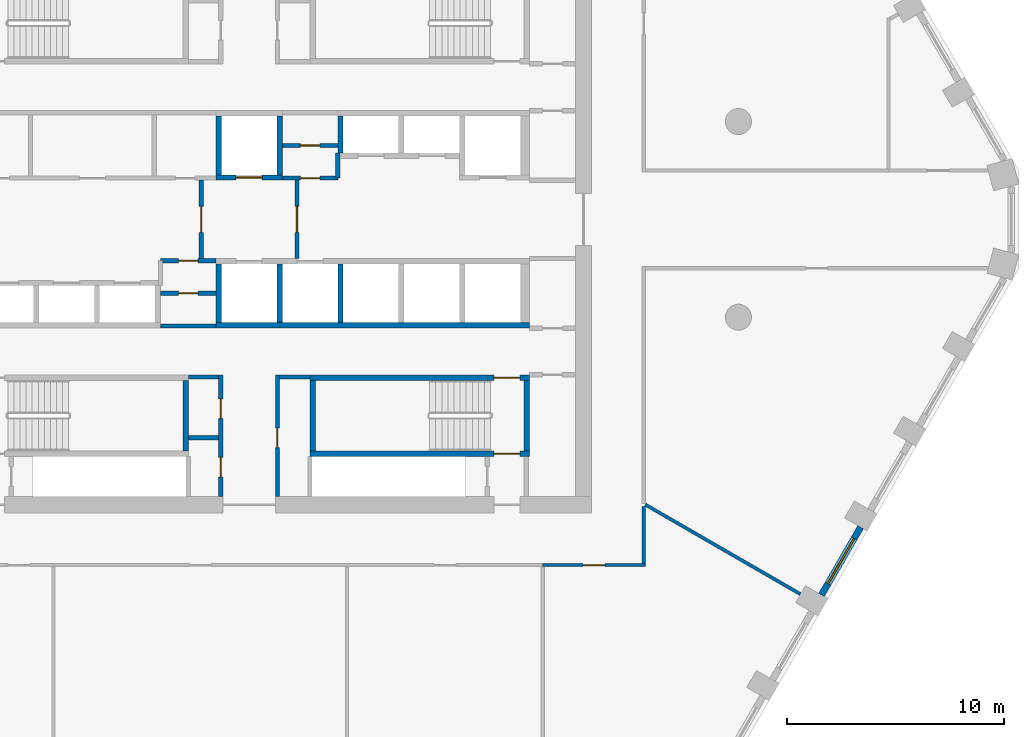
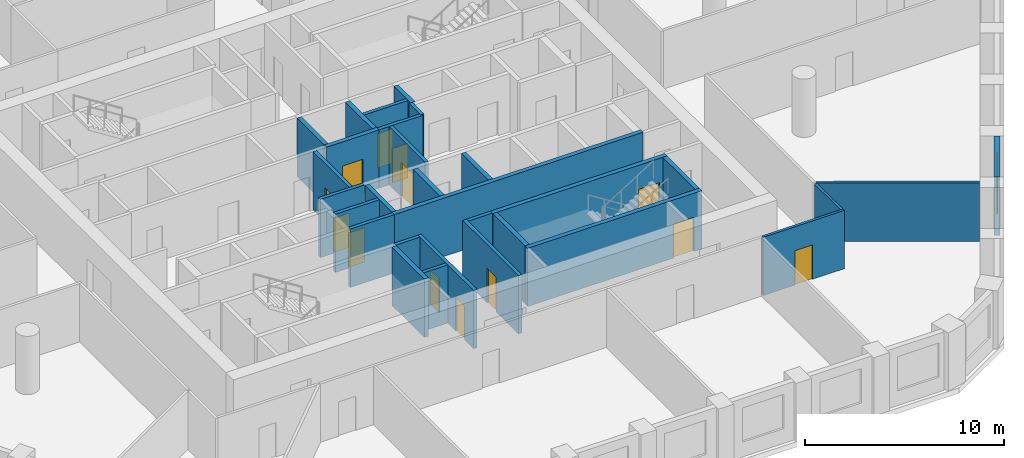
# One storey, part 4 of 9: 30 walls, 13 doors, 1 window, 14 openings.
"""IFC4 building model written with IfcOpenShell, lengths in metres."""

from ifc_helpers import new_model, si_unit, direction, frame, frame_2d, origin, place, context, subcontext, project, spatial, polyline, rectangle, outline, extrude, material, layer, layer_set, type_object, element, fill, save


model = new_model("IFC4")

# Units and contexts
model_context = context("Model", 3, precision=1e-05, world=origin(), true_north=direction((0.0, 1.0)))
body_context = subcontext(model_context, "Body", "Model", "MODEL_VIEW")
ifc_project = project(units=[si_unit("LENGTHUNIT", "METRE"), si_unit("AREAUNIT", "SQUARE_METRE"), si_unit("VOLUMEUNIT", "CUBIC_METRE"), si_unit("PLANEANGLEUNIT", "RADIAN"), si_unit("MASSUNIT", "GRAM", prefix="KILO")], contexts=[model_context])

# Site, building, storey
site_placement = place(None, origin())
site = spatial("IfcSite", under=ifc_project, at=site_placement, CompositionType="ELEMENT")
building_placement = place(site_placement, origin())
building = spatial("IfcBuilding", under=site, at=building_placement, Name="Dhurran Vertical Campus", CompositionType="ELEMENT")
storey_placement = place(building_placement, frame((0.0, 0.0, 163.800048828125)))
storey = spatial("IfcBuildingStorey", under=building, at=storey_placement, Name="L40", CompositionType="ELEMENT", Elevation=163.800048828125)

# Wall, opening, window
ifc_material_1 = material(Name="Precast concrete C50/60", Category="concrete")
ifc_layer_1 = layer(ifc_material_1, 0.300048828125)
ifc_layer_set_1 = layer_set([ifc_layer_1], Name="Precast concrete C50/60")
wall_type_1 = type_object("IfcWallType", Name="Precast spandrel wall 300", PredefinedType="SOLIDWALL", material=ifc_layer_set_1)
wall_1_placement = place(storey_placement, frame((26.3193359375, -17.273193359375, 0.0), z_axis=(0.0, 0.0, 1.0), x_axis=(0.500027802648, 0.866009351323, 0.0)))
wall_1 = element("IfcWall", 1, at=wall_1_placement, inside=storey, type_object=wall_type_1, Name="EW1 L40.11", PredefinedType="SOLIDWALL", context=body_context, shape_type="SweptSolid", body=[
    extrude(rectangle(XDim=3.598876953125, YDim=0.300048828125, at=frame_2d((1.79931640625, 0.0))), origin(), (0.0, 0.0, 1.0), 3.574951171875),
])
opening_1_placement = place(wall_1_placement, frame((0.599609375, 0.0, 0.89990234375)))
opening_1 = element("IfcOpeningElement", 2, at=opening_1_placement, cuts=wall_1, Name="Opening WT1", PredefinedType="OPENING", context=body_context, shape_type="SweptSolid", body=[
    extrude(rectangle(XDim=2.39990234375, YDim=2.10009765625, at=frame_2d((1.199951171875, 1.050048828125))), frame((0.0, 0.159912109375, 0.0), z_axis=(0.0, -1.0, 0.0), x_axis=(1.0, 0.0, 0.0)), (0.0, 0.0, 1.0), 0.320068359375),
])
ifc_material_2 = material(Name="Aluminium frame with solar-control glass", Category="aluminium")
window_type = type_object("IfcWindowType", Name="Punched window 2400 x 2100", PartitioningType="SINGLE_PANEL", PredefinedType="WINDOW", material=ifc_material_2)
window_placement = place(opening_1_placement, origin())
window = element("IfcWindow", 3, at=window_placement, inside=storey, type_object=window_type, Name="WT1 L40.11", OverallHeight=2.10009765625, OverallWidth=2.39990234375, PartitioningType="SINGLE_PANEL", PredefinedType="WINDOW", context=body_context, shape_type="SweptSolid", body=[
    extrude(rectangle(XDim=2.39990234375, YDim=2.10009765625, at=frame_2d((1.199951171875, 1.050048828125))), frame((0.0, 0.030029296875, 0.0), z_axis=(0.0, -1.0, 0.0), x_axis=(1.0, 0.0, 0.0)), (0.0, 0.0, 1.0), 0.06005859375),
])
fill(opening_1, window)

# Wall, opening, door
ifc_material_3 = material(Name="Fire-rated masonry blockwork", Category="masonry")
ifc_layer_2 = layer(ifc_material_3, 0.199951171875)
ifc_layer_set_2 = layer_set([ifc_layer_2], Name="Fire-rated masonry blockwork")
wall_type_2 = type_object("IfcWallType", Name="co-FIRE-PARTITION-200", PredefinedType="PARTITIONING", material=ifc_layer_set_2)
wall_2_placement = place(storey_placement, frame((-2.199951171875, -1.800048828125, 0.0), z_axis=(0.0, 0.0, 1.0), x_axis=(0.0, 1.0, 0.0)))
wall_2 = element("IfcWall", 4, at=wall_2_placement, inside=storey, type_object=wall_type_2, Name="Firefighting lobby wall W L40", PredefinedType="PARTITIONING", context=body_context, shape_type="SweptSolid", body=[
    extrude(rectangle(XDim=3.60009765625, YDim=0.199951171875, at=frame_2d((1.800048828125, 0.0))), origin(), (0.0, 0.0, 1.0), 3.574951171875),
])
opening_2_placement = place(wall_2_placement, frame((1.199951171875, 0.0, 0.0)))
opening_2 = element("IfcOpeningElement", 5, at=opening_2_placement, cuts=wall_2, Name="Opening FL1", PredefinedType="OPENING", context=body_context, shape_type="SweptSolid", body=[
    extrude(rectangle(XDim=1.199951171875, YDim=2.10009765625, at=frame_2d((0.60009765625, 1.050048828125))), frame((0.0, 0.10986328125, 0.0), z_axis=(0.0, -1.0, 0.0), x_axis=(1.0, 0.0, 0.0)), (0.0, 0.0, 1.0), 0.219970703125),
])
ifc_material_4 = material(Name="Fire-rated steel door set", Category="steel")
door_type_1 = type_object("IfcDoorType", Name="co-D-FFLOBBY 1200x2100", OperationType="SINGLE_SWING_LEFT", PredefinedType="DOOR", material=ifc_material_4)
door_1_placement = place(opening_2_placement, origin())
door_1 = element("IfcDoor", 6, at=door_1_placement, inside=storey, type_object=door_type_1, Name="Firefighting lobby door W L40", OperationType="SINGLE_SWING_LEFT", OverallHeight=2.10009765625, OverallWidth=1.199951171875, PredefinedType="DOOR", context=body_context, shape_type="SweptSolid", body=[
    extrude(rectangle(XDim=1.199951171875, YDim=2.10009765625, at=frame_2d((0.60009765625, 1.050048828125))), frame((0.0, 0.02490234375, 0.0), z_axis=(0.0, -1.0, 0.0), x_axis=(1.0, 0.0, 0.0)), (0.0, 0.0, 1.0), 0.050048828125),
])
fill(opening_2, door_1)

wall_3_placement = place(storey_placement, frame((2.199951171875, -1.800048828125, 0.0), z_axis=(0.0, 0.0, 1.0), x_axis=(0.0, 1.0, 0.0)))
wall_3 = element("IfcWall", 7, at=wall_3_placement, inside=storey, type_object=wall_type_2, Name="Firefighting lobby wall E L40", PredefinedType="PARTITIONING", context=body_context, shape_type="SweptSolid", body=[
    extrude(rectangle(XDim=3.60009765625, YDim=0.199951171875, at=frame_2d((1.800048828125, 0.0))), origin(), (0.0, 0.0, 1.0), 3.574951171875),
])
opening_3_placement = place(wall_3_placement, frame((1.199951171875, 0.0, 0.0)))
opening_3 = element("IfcOpeningElement", 8, at=opening_3_placement, cuts=wall_3, Name="Opening FL2", PredefinedType="OPENING", context=body_context, shape_type="SweptSolid", body=[
    extrude(rectangle(XDim=1.199951171875, YDim=2.10009765625, at=frame_2d((0.60009765625, 1.050048828125))), frame((0.0, 0.10986328125, 0.0), z_axis=(0.0, -1.0, 0.0), x_axis=(1.0, 0.0, 0.0)), (0.0, 0.0, 1.0), 0.219970703125),
])
door_2_placement = place(opening_3_placement, origin())
door_2 = element("IfcDoor", 9, at=door_2_placement, inside=storey, type_object=door_type_1, Name="Firefighting lobby door E L40", OperationType="SINGLE_SWING_LEFT", OverallHeight=2.10009765625, OverallWidth=1.199951171875, PredefinedType="DOOR", context=body_context, shape_type="SweptSolid", body=[
    extrude(rectangle(XDim=1.199951171875, YDim=2.10009765625, at=frame_2d((0.60009765625, 1.050048828125))), frame((0.0, 0.02490234375, 0.0), z_axis=(0.0, -1.0, 0.0), x_axis=(1.0, 0.0, 0.0)), (0.0, 0.0, 1.0), 0.050048828125),
])
fill(opening_3, door_2)

# Walls
for number, where, z_axis, x_axis, name in (
    (10, (-2.800048828125, -7.25, 0.0), (0.0, 0.0, 1.0), (1.0, 0.0, 0.0), "Core partition sl-SW-S L40"),
    (11, (-2.800048828125, -10.050048828125, 0.0), (0.0, 0.0, 1.0), (1.0, 0.0, 0.0), "Core partition sl-SW-cut0 L40"),
    (12, (1.39990234375, -7.25, 0.0), (0.0, 0.0, 1.0), (1.0, 0.0, 0.0), "Core partition sl-SE-S L40"),
):
    element("IfcWall", number, at=place(storey_placement, frame(where, z_axis=z_axis, x_axis=x_axis)), inside=storey, type_object=wall_type_2, Name=name, PredefinedType="PARTITIONING", context=body_context, shape_type="SweptSolid", body=[
        extrude(rectangle(XDim=1.400146484375, YDim=0.199951171875, at=frame_2d((0.7001953125, 0.0))), origin(), (0.0, 0.0, 1.0), 3.574951171875),
    ])

# Wall, openings, doors
wall_4_placement = place(storey_placement, frame((-1.300048828125, -12.75, 0.0), z_axis=(0.0, 0.0, 1.0), x_axis=(0.0, 1.0, 0.0)))
wall_4 = element("IfcWall", 13, at=wall_4_placement, inside=storey, type_object=wall_type_2, Name="Core partition vest-SW L40", PredefinedType="PARTITIONING", context=body_context, shape_type="SweptSolid", body=[
    extrude(rectangle(XDim=5.60009765625, YDim=0.199951171875, at=frame_2d((2.800048828125, 0.0))), origin(), (0.0, 0.0, 1.0), 3.574951171875),
])
opening_4_placement = place(wall_4_placement, frame((0.89990234375, 0.0, 0.0)))
opening_4 = element("IfcOpeningElement", 14, at=opening_4_placement, cuts=wall_4, Name="Opening T11-C1", PredefinedType="OPENING", context=body_context, shape_type="SweptSolid", body=[
    extrude(rectangle(XDim=0.89990234375, YDim=2.10009765625, at=frame_2d((0.449951171875, 1.050048828125))), frame((0.0, 0.10986328125, 0.0), z_axis=(0.0, -1.0, 0.0), x_axis=(1.0, 0.0, 0.0)), (0.0, 0.0, 1.0), 0.219970703125),
])
opening_5_placement = place(wall_4_placement, frame((3.60009765625, 0.0, 0.0)))
opening_5 = element("IfcOpeningElement", 15, at=opening_5_placement, cuts=wall_4, Name="Opening T11-C2", PredefinedType="OPENING", context=body_context, shape_type="SweptSolid", body=[
    extrude(rectangle(XDim=0.89990234375, YDim=2.10009765625, at=frame_2d((0.449951171875, 1.050048828125))), frame((0.0, 0.10986328125, 0.0), z_axis=(0.0, -1.0, 0.0), x_axis=(1.0, 0.0, 0.0)), (0.0, 0.0, 1.0), 0.219970703125),
])
ifc_material_5 = material(Name="Fire-rated timber door set", Category="wood")
door_type_2 = type_object("IfcDoorType", Name="co-D-ROOM 900x2100", OperationType="SINGLE_SWING_LEFT", PredefinedType="DOOR", material=ifc_material_5)
door_3_placement = place(opening_4_placement, origin())
door_3 = element("IfcDoor", 16, at=door_3_placement, inside=storey, type_object=door_type_2, Name="Cleaner's store door L40", OperationType="SINGLE_SWING_LEFT", OverallHeight=2.10009765625, OverallWidth=0.89990234375, PredefinedType="DOOR", context=body_context, shape_type="SweptSolid", body=[
    extrude(rectangle(XDim=0.89990234375, YDim=2.10009765625, at=frame_2d((0.449951171875, 1.050048828125))), frame((0.0, 0.02490234375, 0.0), z_axis=(0.0, -1.0, 0.0), x_axis=(1.0, 0.0, 0.0)), (0.0, 0.0, 1.0), 0.050048828125),
])
fill(opening_4, door_3)
door_4_placement = place(opening_5_placement, origin())
door_4 = element("IfcDoor", 17, at=door_4_placement, inside=storey, type_object=door_type_2, Name="Store door L40", OperationType="SINGLE_SWING_LEFT", OverallHeight=2.10009765625, OverallWidth=0.89990234375, PredefinedType="DOOR", context=body_context, shape_type="SweptSolid", body=[
    extrude(rectangle(XDim=0.89990234375, YDim=2.10009765625, at=frame_2d((0.449951171875, 1.050048828125))), frame((0.0, 0.02490234375, 0.0), z_axis=(0.0, -1.0, 0.0), x_axis=(1.0, 0.0, 0.0)), (0.0, 0.0, 1.0), 0.050048828125),
])
fill(opening_5, door_4)

# Wall, opening, door
wall_5_placement = place(storey_placement, frame((1.300048828125, -12.75, 0.0), z_axis=(0.0, 0.0, 1.0), x_axis=(0.0, 1.0, 0.0)))
wall_5 = element("IfcWall", 18, at=wall_5_placement, inside=storey, type_object=wall_type_2, Name="Core partition vest-SE L40", PredefinedType="PARTITIONING", context=body_context, shape_type="SweptSolid", body=[
    extrude(rectangle(XDim=5.60009765625, YDim=0.199951171875, at=frame_2d((2.800048828125, 0.0))), origin(), (0.0, 0.0, 1.0), 3.574951171875),
])
opening_6_placement = place(wall_5_placement, frame((2.25, 0.0, 0.0)))
opening_6 = element("IfcOpeningElement", 19, at=opening_6_placement, cuts=wall_5, Name="Opening T11-C3", PredefinedType="OPENING", context=body_context, shape_type="SweptSolid", body=[
    extrude(rectangle(XDim=0.89990234375, YDim=2.10009765625, at=frame_2d((0.449951171875, 1.050048828125))), frame((0.0, 0.10986328125, 0.0), z_axis=(0.0, -1.0, 0.0), x_axis=(1.0, 0.0, 0.0)), (0.0, 0.0, 1.0), 0.219970703125),
])
door_5_placement = place(opening_6_placement, origin())
door_5 = element("IfcDoor", 20, at=door_5_placement, inside=storey, type_object=door_type_2, Name="Housekeeping store door L40", OperationType="SINGLE_SWING_LEFT", OverallHeight=2.10009765625, OverallWidth=0.89990234375, PredefinedType="DOOR", context=body_context, shape_type="SweptSolid", body=[
    extrude(rectangle(XDim=0.89990234375, YDim=2.10009765625, at=frame_2d((0.449951171875, 1.050048828125))), frame((0.0, 0.02490234375, 0.0), z_axis=(0.0, -1.0, 0.0), x_axis=(1.0, 0.0, 0.0)), (0.0, 0.0, 1.0), 0.050048828125),
])
fill(opening_6, door_5)

wall_6_placement = place(storey_placement, frame((1.52490234375, 3.39990234375, 0.0), z_axis=(0.0, 0.0, 1.0), x_axis=(1.0, 0.0, 0.0)))
wall_6 = element("IfcWall", 21, at=wall_6_placement, inside=storey, type_object=wall_type_2, Name="Core partition fr-N1-c L40", PredefinedType="PARTITIONING", context=body_context, shape_type="SweptSolid", body=[
    extrude(rectangle(XDim=2.550048828125, YDim=0.199951171875, at=frame_2d((1.27490234375, 0.0))), origin(), (0.0, 0.0, 1.0), 3.574951171875),
])
opening_7_placement = place(wall_6_placement, frame((0.824951171875, 0.0, 0.0)))
opening_7 = element("IfcOpeningElement", 22, at=opening_7_placement, cuts=wall_6, Name="Opening T11-C23", PredefinedType="OPENING", context=body_context, shape_type="SweptSolid", body=[
    extrude(rectangle(XDim=0.89990234375, YDim=2.10009765625, at=frame_2d((0.449951171875, 1.050048828125))), frame((0.0, 0.10986328125, 0.0), z_axis=(0.0, -1.0, 0.0), x_axis=(1.0, 0.0, 0.0)), (0.0, 0.0, 1.0), 0.219970703125),
])
door_6_placement = place(opening_7_placement, origin())
door_6 = element("IfcDoor", 23, at=door_6_placement, inside=storey, type_object=door_type_2, Name="Pantry door L40", OperationType="SINGLE_SWING_LEFT", OverallHeight=2.10009765625, OverallWidth=0.89990234375, PredefinedType="DOOR", context=body_context, shape_type="SweptSolid", body=[
    extrude(rectangle(XDim=0.89990234375, YDim=2.10009765625, at=frame_2d((0.449951171875, 1.050048828125))), frame((0.0, 0.02490234375, 0.0), z_axis=(0.0, -1.0, 0.0), x_axis=(1.0, 0.0, 0.0)), (0.0, 0.0, 1.0), 0.050048828125),
])
fill(opening_7, door_6)

wall_7_placement = place(storey_placement, frame((1.52490234375, 1.89990234375, 0.0), z_axis=(0.0, 0.0, 1.0), x_axis=(1.0, 0.0, 0.0)))
wall_7 = element("IfcWall", 24, at=wall_7_placement, inside=storey, type_object=wall_type_2, Name="Core partition fr-N1-f L40", PredefinedType="PARTITIONING", context=body_context, shape_type="SweptSolid", body=[
    extrude(rectangle(XDim=2.550048828125, YDim=0.199951171875, at=frame_2d((1.27490234375, 0.0))), origin(), (0.0, 0.0, 1.0), 3.574951171875),
])
opening_8_placement = place(wall_7_placement, frame((0.824951171875, 0.0, 0.0)))
opening_8 = element("IfcOpeningElement", 25, at=opening_8_placement, cuts=wall_7, Name="Opening T11-C24", PredefinedType="OPENING", context=body_context, shape_type="SweptSolid", body=[
    extrude(rectangle(XDim=0.89990234375, YDim=2.10009765625, at=frame_2d((0.449951171875, 1.050048828125))), frame((0.0, 0.10986328125, 0.0), z_axis=(0.0, -1.0, 0.0), x_axis=(1.0, 0.0, 0.0)), (0.0, 0.0, 1.0), 0.219970703125),
])
door_7_placement = place(opening_8_placement, origin())
door_7 = element("IfcDoor", 26, at=door_7_placement, inside=storey, type_object=door_type_2, Name="Server room door L40", OperationType="SINGLE_SWING_LEFT", OverallHeight=2.10009765625, OverallWidth=0.89990234375, PredefinedType="DOOR", context=body_context, shape_type="SweptSolid", body=[
    extrude(rectangle(XDim=0.89990234375, YDim=2.10009765625, at=frame_2d((0.449951171875, 1.050048828125))), frame((0.0, 0.02490234375, 0.0), z_axis=(0.0, -1.0, 0.0), x_axis=(1.0, 0.0, 0.0)), (0.0, 0.0, 1.0), 0.050048828125),
])
fill(opening_8, door_7)

# Wall
wall_8_placement = place(storey_placement, frame((4.074951171875, 1.89990234375, 0.0), z_axis=(0.0, 0.0, 1.0), x_axis=(0.0, 1.0, 0.0)))
element("IfcWall", 27, at=wall_8_placement, inside=storey, type_object=wall_type_2, Name="Core partition fr-N1-n1 L40", PredefinedType="PARTITIONING", context=body_context, shape_type="SweptSolid", body=[
    extrude(rectangle(XDim=1.150146484375, YDim=0.199951171875, at=frame_2d((0.5751953125, 0.0))), origin(), (0.0, 0.0, 1.0), 3.574951171875),
])

# Wall, opening, door
wall_9_placement = place(storey_placement, frame((-4.074951171875, -3.39990234375, 0.0), z_axis=(0.0, 0.0, 1.0), x_axis=(1.0, 0.0, 0.0)))
wall_9 = element("IfcWall", 28, at=wall_9_placement, inside=storey, type_object=wall_type_2, Name="Core partition fr-S0-c L40", PredefinedType="PARTITIONING", context=body_context, shape_type="SweptSolid", body=[
    extrude(rectangle(XDim=2.550048828125, YDim=0.199951171875, at=frame_2d((1.27490234375, 0.0))), origin(), (0.0, 0.0, 1.0), 3.574951171875),
])
opening_9_placement = place(wall_9_placement, frame((0.824951171875, 0.0, 0.0)))
opening_9 = element("IfcOpeningElement", 29, at=opening_9_placement, cuts=wall_9, Name="Opening T11-C25", PredefinedType="OPENING", context=body_context, shape_type="SweptSolid", body=[
    extrude(rectangle(XDim=0.89990234375, YDim=2.10009765625, at=frame_2d((0.449951171875, 1.050048828125))), frame((0.0, 0.10986328125, 0.0), z_axis=(0.0, -1.0, 0.0), x_axis=(1.0, 0.0, 0.0)), (0.0, 0.0, 1.0), 0.219970703125),
])
door_8_placement = place(opening_9_placement, origin())
door_8 = element("IfcDoor", 30, at=door_8_placement, inside=storey, type_object=door_type_2, Name="Housekeeping store door L40", OperationType="SINGLE_SWING_LEFT", OverallHeight=2.10009765625, OverallWidth=0.89990234375, PredefinedType="DOOR", context=body_context, shape_type="SweptSolid", body=[
    extrude(rectangle(XDim=0.89990234375, YDim=2.10009765625, at=frame_2d((0.449951171875, 1.050048828125))), frame((0.0, 0.02490234375, 0.0), z_axis=(0.0, -1.0, 0.0), x_axis=(1.0, 0.0, 0.0)), (0.0, 0.0, 1.0), 0.050048828125),
])
fill(opening_9, door_8)

wall_10_placement = place(storey_placement, frame((-4.074951171875, -1.89990234375, 0.0), z_axis=(0.0, 0.0, 1.0), x_axis=(1.0, 0.0, 0.0)))
wall_10 = element("IfcWall", 31, at=wall_10_placement, inside=storey, type_object=wall_type_2, Name="Core partition fr-S0-f L40", PredefinedType="PARTITIONING", context=body_context, shape_type="SweptSolid", body=[
    extrude(rectangle(XDim=2.550048828125, YDim=0.199951171875, at=frame_2d((1.27490234375, 0.0))), origin(), (0.0, 0.0, 1.0), 3.574951171875),
])
opening_10_placement = place(wall_10_placement, frame((0.824951171875, 0.0, 0.0)))
opening_10 = element("IfcOpeningElement", 32, at=opening_10_placement, cuts=wall_10, Name="Opening T11-C26", PredefinedType="OPENING", context=body_context, shape_type="SweptSolid", body=[
    extrude(rectangle(XDim=0.89990234375, YDim=2.10009765625, at=frame_2d((0.449951171875, 1.050048828125))), frame((0.0, 0.10986328125, 0.0), z_axis=(0.0, -1.0, 0.0), x_axis=(1.0, 0.0, 0.0)), (0.0, 0.0, 1.0), 0.219970703125),
])
door_9_placement = place(opening_10_placement, origin())
door_9 = element("IfcDoor", 33, at=door_9_placement, inside=storey, type_object=door_type_2, Name="Pantry door L40", OperationType="SINGLE_SWING_LEFT", OverallHeight=2.10009765625, OverallWidth=0.89990234375, PredefinedType="DOOR", context=body_context, shape_type="SweptSolid", body=[
    extrude(rectangle(XDim=0.89990234375, YDim=2.10009765625, at=frame_2d((0.449951171875, 1.050048828125))), frame((0.0, 0.02490234375, 0.0), z_axis=(0.0, -1.0, 0.0), x_axis=(1.0, 0.0, 0.0)), (0.0, 0.0, 1.0), 0.050048828125),
])
fill(opening_10, door_9)

# Wall
wall_11_placement = place(storey_placement, frame((-4.074951171875, -4.89990234375, 0.0), z_axis=(0.0, 0.0, 1.0), x_axis=(1.0, 0.0, 0.0)))
element("IfcWall", 34, at=wall_11_placement, inside=storey, type_object=wall_type_2, Name="Core partition fr-S0-b L40", PredefinedType="PARTITIONING", context=body_context, shape_type="SweptSolid", body=[
    extrude(rectangle(XDim=2.550048828125, YDim=0.199951171875, at=frame_2d((1.27490234375, 0.0))), origin(), (0.0, 0.0, 1.0), 3.574951171875),
])

# Wall, opening, door
ifc_material_6 = material(Name="Concrete C50/60", Category="concrete")
ifc_layer_3 = layer(ifc_material_6, 0.25)
ifc_layer_set_3 = layer_set([ifc_layer_3], Name="Concrete C50/60")
wall_type_3 = type_object("IfcWallType", Name="co-SHAFT-FRONT-250", PredefinedType="SHEAR", material=ifc_layer_set_3)
wall_12_placement = place(storey_placement, frame((-1.52490234375, 1.925048828125, 0.0), z_axis=(0.0, 0.0, 1.0), x_axis=(1.0, 0.0, 0.0)))
wall_12 = element("IfcWall", 35, at=wall_12_placement, inside=storey, type_object=wall_type_3, Name="Lift landing wall N L40", PredefinedType="SHEAR", context=body_context, shape_type="SweptSolid", body=[
    extrude(rectangle(XDim=3.0498046875, YDim=0.25, at=frame_2d((1.52490234375, 0.0))), origin(), (0.0, 0.0, 1.0), 3.574951171875),
])
opening_11_placement = place(wall_12_placement, frame((0.925048828125, 0.0, 0.0)))
opening_11 = element("IfcOpeningElement", 36, at=opening_11_placement, cuts=wall_12, Name="Opening LD", PredefinedType="OPENING", context=body_context, shape_type="SweptSolid", body=[
    extrude(rectangle(XDim=1.199951171875, YDim=2.10009765625, at=frame_2d((0.60009765625, 1.050048828125))), frame((0.0, 0.135009765625, 0.0), z_axis=(0.0, -1.0, 0.0), x_axis=(1.0, 0.0, 0.0)), (0.0, 0.0, 1.0), 0.27001953125),
])
ifc_material_7 = material(Name="Stainless steel landing door", Category="steel")
door_type_3 = type_object("IfcDoorType", Name="co-D-LANDING 1200x2100", OperationType="DOUBLE_DOOR_SLIDING", PredefinedType="DOOR", material=ifc_material_7)
door_10_placement = place(opening_11_placement, origin())
door_10 = element("IfcDoor", 37, at=door_10_placement, inside=storey, type_object=door_type_3, Name="Landing door FF1 L40", OperationType="DOUBLE_DOOR_SLIDING", OverallHeight=2.10009765625, OverallWidth=1.199951171875, PredefinedType="DOOR", context=body_context, shape_type="SweptSolid", body=[
    extrude(rectangle(XDim=1.199951171875, YDim=2.10009765625, at=frame_2d((0.60009765625, 1.050048828125))), frame((0.0, 0.02490234375, 0.0), z_axis=(0.0, -1.0, 0.0), x_axis=(1.0, 0.0, 0.0)), (0.0, 0.0, 1.0), 0.050048828125),
])
fill(opening_11, door_10)

# Walls
ifc_material_8 = material(Name="Concrete C50/60", Category="concrete")
ifc_layer_4 = layer(ifc_material_8, 0.25)
ifc_layer_set_4 = layer_set([ifc_layer_4], Name="Concrete C50/60")
wall_type_4 = type_object("IfcWallType", Name="co-SHAFT-MASS-250", PredefinedType="SHEAR", material=ifc_layer_set_4)
wall_13_placement = place(storey_placement, origin())
element("IfcWall", 38, at=wall_13_placement, inside=storey, type_object=wall_type_4, Name="Lift shaft wall N L40 3", PredefinedType="SHEAR", context=body_context, shape_type="SweptSolid", body=[
    extrude(outline(polyline([(-1.52490234375, 2.050048828125), (-1.27490234375, 2.050048828125), (-1.27490234375, 4.75), (-1.52490234375, 4.75), (-1.52490234375, 2.050048828125)])), origin(), (0.0, 0.0, 1.0), 3.574951171875),
])
wall_14_placement = place(storey_placement, origin())
element("IfcWall", 39, at=wall_14_placement, inside=storey, type_object=wall_type_4, Name="Lift shaft wall N L40 4", PredefinedType="SHEAR", context=body_context, shape_type="SweptSolid", body=[
    extrude(outline(polyline([(1.27490234375, 2.050048828125), (1.52490234375, 2.050048828125), (1.52490234375, 4.75), (1.27490234375, 4.75), (1.27490234375, 2.050048828125)])), origin(), (0.0, 0.0, 1.0), 3.574951171875),
])
wall_15_placement = place(storey_placement, origin())
element("IfcWall", 40, at=wall_15_placement, inside=storey, type_object=wall_type_4, Name="Lift shaft wall N L40 7", PredefinedType="SHEAR", context=body_context, shape_type="SweptSolid", body=[
    extrude(outline(polyline([(4.074951171875, 3.050048828125), (4.324951171875, 3.050048828125), (4.324951171875, 4.75), (4.074951171875, 4.75), (4.074951171875, 3.050048828125)])), origin(), (0.0, 0.0, 1.0), 3.574951171875),
])
wall_16_placement = place(storey_placement, origin())
element("IfcWall", 41, at=wall_16_placement, inside=storey, type_object=wall_type_4, Name="Lift shaft wall S L40 2", PredefinedType="SHEAR", context=body_context, shape_type="SweptSolid", body=[
    extrude(outline(polyline([(-1.52490234375, -5.0), (12.89990234375, -5.0), (12.89990234375, -4.75), (-1.52490234375, -4.75), (-1.52490234375, -5.0)])), origin(), (0.0, 0.0, 1.0), 3.574951171875),
])
wall_17_placement = place(storey_placement, origin())
element("IfcWall", 42, at=wall_17_placement, inside=storey, type_object=wall_type_4, Name="Lift shaft wall S L40 7", PredefinedType="SHEAR", context=body_context, shape_type="SweptSolid", body=[
    extrude(outline(polyline([(-1.52490234375, -4.75), (-1.27490234375, -4.75), (-1.27490234375, -2.050048828125), (-1.52490234375, -2.050048828125), (-1.52490234375, -4.75)])), origin(), (0.0, 0.0, 1.0), 3.574951171875),
])
wall_18_placement = place(storey_placement, origin())
element("IfcWall", 43, at=wall_18_placement, inside=storey, type_object=wall_type_4, Name="Lift shaft wall S L40 8", PredefinedType="SHEAR", context=body_context, shape_type="SweptSolid", body=[
    extrude(outline(polyline([(1.27490234375, -4.75), (1.52490234375, -4.75), (1.52490234375, -2.050048828125), (1.27490234375, -2.050048828125), (1.27490234375, -4.75)])), origin(), (0.0, 0.0, 1.0), 3.574951171875),
])
wall_19_placement = place(storey_placement, origin())
element("IfcWall", 44, at=wall_19_placement, inside=storey, type_object=wall_type_4, Name="Lift shaft wall S L40 9", PredefinedType="SHEAR", context=body_context, shape_type="SweptSolid", body=[
    extrude(outline(polyline([(4.074951171875, -4.75), (4.324951171875, -4.75), (4.324951171875, -2.050048828125), (4.074951171875, -2.050048828125), (4.074951171875, -4.75)])), origin(), (0.0, 0.0, 1.0), 3.574951171875),
])
ifc_material_9 = material(Name="Concrete C40/50", Category="concrete")
ifc_layer_5 = layer(ifc_material_9, 0.25)
ifc_layer_set_5 = layer_set([ifc_layer_5], Name="Concrete C40/50")
wall_type_5 = type_object("IfcWallType", Name="co-STAIR-WALL-250", PredefinedType="SHEAR", material=ifc_layer_set_5)
wall_20_placement = place(storey_placement, frame((-2.925048828125, -10.64990234375, 0.0), z_axis=(0.0, 0.0, 1.0), x_axis=(0.0, 1.0, 0.0)))
element("IfcWall", 45, at=wall_20_placement, inside=storey, type_object=wall_type_5, Name="Stair ST3 enclosure wall L40", PredefinedType="SHEAR", context=body_context, shape_type="SweptSolid", body=[
    extrude(rectangle(XDim=3.25, YDim=0.25, at=frame_2d((1.625, 0.0))), origin(), (0.0, 0.0, 1.0), 3.574951171875),
])

# Wall, opening, door
wall_21_placement = place(storey_placement, frame((2.800048828125, -10.77490234375, 0.0), z_axis=(0.0, 0.0, 1.0), x_axis=(1.0, 0.0, 0.0)))
wall_21 = element("IfcWall", 46, at=wall_21_placement, inside=storey, type_object=wall_type_5, Name="Stair ST4 enclosure wall L40", PredefinedType="SHEAR", context=body_context, shape_type="SweptSolid", body=[
    extrude(rectangle(XDim=10.099853515625, YDim=0.25, at=frame_2d((5.0498046875, 0.0))), origin(), (0.0, 0.0, 1.0), 3.574951171875),
])
opening_12_placement = place(wall_21_placement, frame((8.449951171875, 0.0, 0.0)))
opening_12 = element("IfcOpeningElement", 47, at=opening_12_placement, cuts=wall_21, Name="Opening XS4", PredefinedType="OPENING", context=body_context, shape_type="SweptSolid", body=[
    extrude(rectangle(XDim=1.199951171875, YDim=2.10009765625, at=frame_2d((0.60009765625, 1.050048828125))), frame((0.0, 0.135009765625, 0.0), z_axis=(0.0, -1.0, 0.0), x_axis=(1.0, 0.0, 0.0)), (0.0, 0.0, 1.0), 0.27001953125),
])
ifc_material_10 = material(Name="Fire-rated steel door set", Category="steel")
door_type_4 = type_object("IfcDoorType", Name="co-D-STAIR-EXIT 1200x2100", OperationType="SINGLE_SWING_RIGHT", PredefinedType="DOOR", material=ifc_material_10)
door_11_placement = place(opening_12_placement, origin())
door_11 = element("IfcDoor", 48, at=door_11_placement, inside=storey, type_object=door_type_4, Name="Stair ST4 discharge door L40", OperationType="SINGLE_SWING_RIGHT", OverallHeight=2.10009765625, OverallWidth=1.199951171875, PredefinedType="DOOR", context=body_context, shape_type="SweptSolid", body=[
    extrude(rectangle(XDim=1.199951171875, YDim=2.10009765625, at=frame_2d((0.60009765625, 1.050048828125))), frame((0.0, 0.02490234375, 0.0), z_axis=(0.0, -1.0, 0.0), x_axis=(1.0, 0.0, 0.0)), (0.0, 0.0, 1.0), 0.050048828125),
])
fill(opening_12, door_11)

wall_22_placement = place(storey_placement, frame((2.800048828125, -7.27490234375, 0.0), z_axis=(0.0, 0.0, 1.0), x_axis=(1.0, 0.0, 0.0)))
wall_22 = element("IfcWall", 49, at=wall_22_placement, inside=storey, type_object=wall_type_5, Name="Stair ST4 enclosure wall L40", PredefinedType="SHEAR", context=body_context, shape_type="SweptSolid", body=[
    extrude(rectangle(XDim=10.099853515625, YDim=0.25, at=frame_2d((5.0498046875, 0.0))), origin(), (0.0, 0.0, 1.0), 3.574951171875),
])
opening_13_placement = place(wall_22_placement, frame((8.449951171875, 0.0, 0.0)))
opening_13 = element("IfcOpeningElement", 50, at=opening_13_placement, cuts=wall_22, Name="Opening SD4", PredefinedType="OPENING", context=body_context, shape_type="SweptSolid", body=[
    extrude(rectangle(XDim=1.199951171875, YDim=2.10009765625, at=frame_2d((0.60009765625, 1.050048828125))), frame((0.0, 0.135009765625, 0.0), z_axis=(0.0, -1.0, 0.0), x_axis=(1.0, 0.0, 0.0)), (0.0, 0.0, 1.0), 0.27001953125),
])
ifc_material_11 = material(Name="Fire-rated steel door set", Category="steel")
door_type_5 = type_object("IfcDoorType", Name="co-D-STAIR 1200x2100", OperationType="SINGLE_SWING_LEFT", PredefinedType="DOOR", material=ifc_material_11)
door_12_placement = place(opening_13_placement, origin())
door_12 = element("IfcDoor", 51, at=door_12_placement, inside=storey, type_object=door_type_5, Name="Stair ST4 door L40", OperationType="SINGLE_SWING_LEFT", OverallHeight=2.10009765625, OverallWidth=1.199951171875, PredefinedType="DOOR", context=body_context, shape_type="SweptSolid", body=[
    extrude(rectangle(XDim=1.199951171875, YDim=2.10009765625, at=frame_2d((0.60009765625, 1.050048828125))), frame((0.0, 0.02490234375, 0.0), z_axis=(0.0, -1.0, 0.0), x_axis=(1.0, 0.0, 0.0)), (0.0, 0.0, 1.0), 0.050048828125),
])
fill(opening_13, door_12)

# Walls
for number, where, z_axis, x_axis, name in (
    (52, (2.925048828125, -10.64990234375, 0.0), (0.0, 0.0, 1.0), (0.0, 1.0, 0.0), "Stair ST4 enclosure wall L40"),
    (53, (12.77490234375, -10.64990234375, 0.0), (0.0, 0.0, 1.0), (0.0, 1.0, 0.0), "Stair ST4 enclosure wall L40"),
):
    element("IfcWall", number, at=place(storey_placement, frame(where, z_axis=z_axis, x_axis=x_axis)), inside=storey, type_object=wall_type_5, Name=name, PredefinedType="SHEAR", context=body_context, shape_type="SweptSolid", body=[
        extrude(rectangle(XDim=3.25, YDim=0.25, at=frame_2d((1.625, 0.0))), origin(), (0.0, 0.0, 1.0), 3.574951171875),
    ])

# Wall, opening, door
ifc_material_12 = material(Name="Gypsum board corridor wall on steel studs", Category="steel")
ifc_layer_6 = layer(ifc_material_12, 0.14990234375)
ifc_layer_set_6 = layer_set([ifc_layer_6], Name="Gypsum board corridor wall on steel studs")
wall_type_6 = type_object("IfcWallType", Name="fl-CW-150 corridor wall", PredefinedType="PARTITIONING", material=ifc_layer_set_6)
wall_23_placement = place(storey_placement, frame((13.5, -15.89990234375, 0.0), z_axis=(0.0, 0.0, 1.0), x_axis=(1.0, 0.0, 0.0)))
wall_23 = element("IfcWall", 54, at=wall_23_placement, inside=storey, type_object=wall_type_6, Name="Partition 40-34", PredefinedType="PARTITIONING", context=body_context, shape_type="SweptSolid", body=[
    extrude(rectangle(XDim=4.72509765625, YDim=0.14990234375, at=frame_2d((2.362548828125, 0.0))), origin(), (0.0, 0.0, 1.0), 3.574951171875),
])
opening_14_placement = place(wall_23_placement, frame((1.862548828125, 0.0, 0.0)))
opening_14 = element("IfcOpeningElement", 55, at=opening_14_placement, cuts=wall_23, Name="Opening T11.14", PredefinedType="OPENING", context=body_context, shape_type="SweptSolid", body=[
    extrude(rectangle(XDim=1.0, YDim=2.10009765625, at=frame_2d((0.5, 1.050048828125))), frame((0.0, 0.0849609375, 0.0), z_axis=(0.0, -1.0, 0.0), x_axis=(1.0, 0.0, 0.0)), (0.0, 0.0, 1.0), 0.169921875),
])
ifc_material_13 = material(Name="Solid-core timber door set, fire-rated", Category="wood")
door_type_6 = type_object("IfcDoorType", Name="fl-D-1000x2100", OperationType="SINGLE_SWING_LEFT", PredefinedType="DOOR", material=ifc_material_13)
door_13_placement = place(opening_14_placement, origin())
door_13 = element("IfcDoor", 56, at=door_13_placement, inside=storey, type_object=door_type_6, Name="Door 40.14", OperationType="SINGLE_SWING_LEFT", OverallHeight=2.10009765625, OverallWidth=1.0, PredefinedType="DOOR", context=body_context, shape_type="SweptSolid", body=[
    extrude(rectangle(XDim=1.0, YDim=2.10009765625, at=frame_2d((0.5, 1.050048828125))), frame((0.0, 0.02490234375, 0.0), z_axis=(0.0, -1.0, 0.0), x_axis=(1.0, 0.0, 0.0)), (0.0, 0.0, 1.0), 0.050048828125),
])
fill(opening_14, door_13)

# Walls
wall_24_placement = place(storey_placement, frame((18.14990234375, -15.824951171875, 0.0), z_axis=(0.0, 0.0, 1.0), x_axis=(0.0, 1.0, 0.0)))
element("IfcWall", 57, at=wall_24_placement, inside=storey, type_object=wall_type_6, Name="Partition 40-38", PredefinedType="PARTITIONING", context=body_context, shape_type="SweptSolid", body=[
    extrude(rectangle(XDim=2.617919921875, YDim=0.14990234375, at=frame_2d((1.30908203125, 0.0))), origin(), (0.0, 0.0, 1.0), 3.574951171875),
])
ifc_material_14 = material(Name="Gypsum board partition on steel studs", Category="steel")
ifc_layer_7 = layer(ifc_material_14, 0.14990234375)
ifc_layer_set_7 = layer_set([ifc_layer_7], Name="Gypsum board partition on steel studs")
wall_type_7 = type_object("IfcWallType", Name="fl-PW-150 fixed partition", PredefinedType="PARTITIONING", material=ifc_layer_set_7)
wall_25_placement = place(storey_placement, frame((18.215087890625, -13.114501953125, 0.0), z_axis=(0.0, 0.0, 1.0), x_axis=(0.866039823271, -0.499975023885, 0.0)))
element("IfcWall", 58, at=wall_25_placement, inside=storey, type_object=wall_type_7, Name="Partition 40-40", PredefinedType="PARTITIONING", context=body_context, shape_type="SweptSolid", body=[
    extrude(rectangle(XDim=8.22802734375, YDim=0.14990234375, at=frame_2d((4.114013671875, 0.0))), origin(), (0.0, 0.0, 1.0), 3.574951171875),
])

save(model, "model.ifc")
